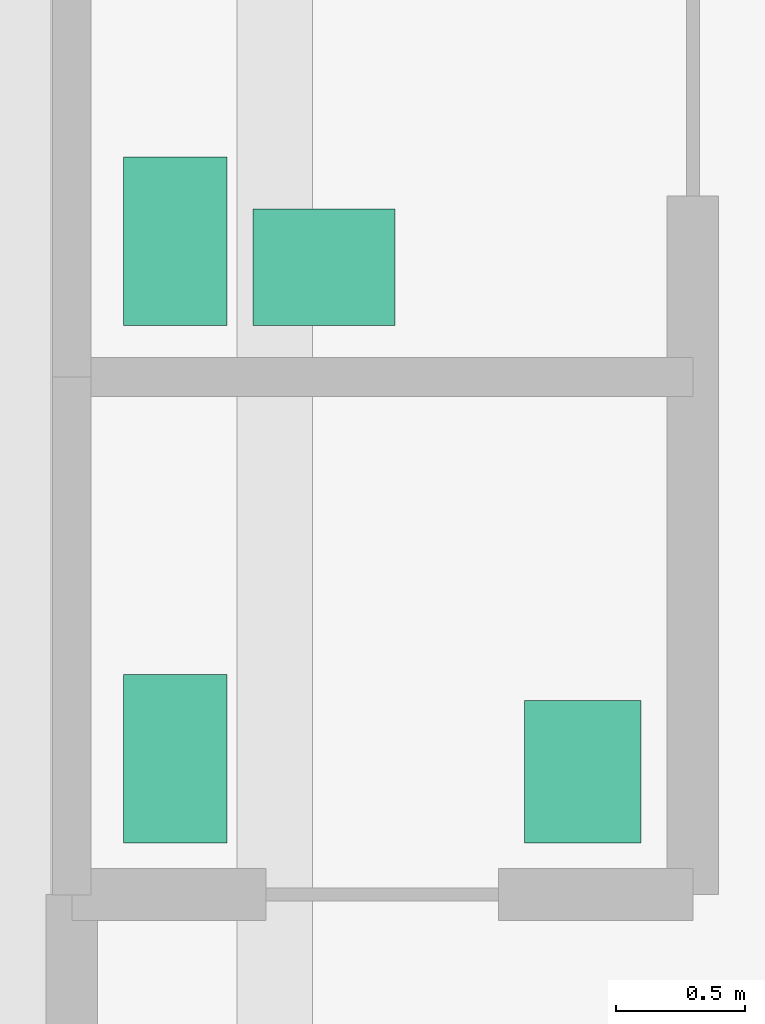
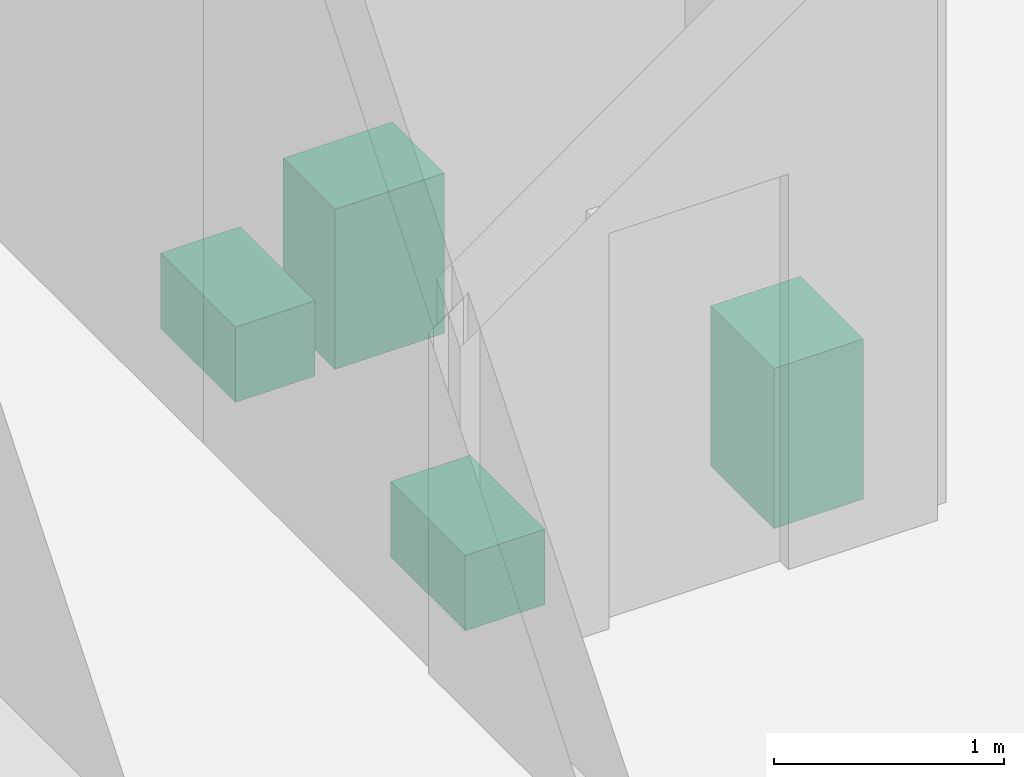
# One storey, part 10 of 10: 4 sanitary terminals.
"""IFC4 building model written with IfcOpenShell, lengths in metres."""

from ifc_helpers import new_model, si_unit, direction, frame, origin, origin_2d, place, context, subcontext, project, spatial, rectangle, extrude, material, type_object, element, save


model = new_model("IFC4")

# Units and contexts
model_context = context("Model", 3, precision=1e-05, world=origin(), true_north=direction((0.0, 1.0)))
body_context = subcontext(model_context, "Body", "Model", "MODEL_VIEW")
ifc_project = project(units=[si_unit("LENGTHUNIT", "METRE"), si_unit("AREAUNIT", "SQUARE_METRE"), si_unit("VOLUMEUNIT", "CUBIC_METRE"), si_unit("PLANEANGLEUNIT", "RADIAN"), si_unit("MASSUNIT", "GRAM", prefix="KILO")], contexts=[model_context])

# Site, building, storey
site_placement = place(None, origin())
site = spatial("IfcSite", under=ifc_project, at=site_placement, CompositionType="ELEMENT")
building_placement = place(site_placement, origin())
building = spatial("IfcBuilding", under=site, at=building_placement, Name="Mashrafa Tower", CompositionType="ELEMENT")
storey_placement = place(building_placement, frame((0.0, 0.0, 193.5)))
storey = spatial("IfcBuildingStorey", under=building, at=storey_placement, Name="L44", CompositionType="ELEMENT", Elevation=193.5)

# Sanitary terminals
ifc_material_1 = material(Name="Vitreous china")
sanitary_terminal_type_1 = type_object("IfcSanitaryTerminalType", Name="Toilet pan 400 x 650", PredefinedType="TOILETPAN", material=ifc_material_1)
for number, where, z_axis, x_axis, name in (
    (1, (13.449951171875, 3.125, 0.0), (0.0, 0.0, 1.0), (1.0, 0.0, 0.0), "Toilet pan Refuge WC L44"),
    (2, (13.449951171875, 5.125, 0.0), (0.0, 0.0, 1.0), (1.0, 0.0, 0.0), "Toilet pan Refuge Accessible WC L44"),
):
    element("IfcSanitaryTerminal", number, at=place(storey_placement, frame(where, z_axis=z_axis, x_axis=x_axis)), inside=storey, type_object=sanitary_terminal_type_1, Name=name, PredefinedType="TOILETPAN", context=body_context, shape_type="SweptSolid", body=[
        extrude(rectangle(XDim=0.39990234375, YDim=0.64990234375, at=origin_2d()), origin(), (0.0, 0.0, 1.0), 0.39990234375),
    ])
ifc_material_2 = material(Name="Vitreous china")
sanitary_terminal_type_2 = type_object("IfcSanitaryTerminalType", Name="Wash basin 550 x 450", PredefinedType="WASHHANDBASIN", material=ifc_material_2)
for number, where, z_axis, x_axis, name in (
    (3, (15.02490234375, 3.074951171875, 0.0), (0.0, 0.0, 1.0), (0.0, 1.0, 0.0), "Wash basin Refuge WC L44"),
    (4, (14.02490234375, 5.02490234375, 0.0), (0.0, 0.0, 1.0), (1.0, 0.0, 0.0), "Wash basin Refuge Accessible WC L44"),
):
    element("IfcSanitaryTerminal", number, at=place(storey_placement, frame(where, z_axis=z_axis, x_axis=x_axis)), inside=storey, type_object=sanitary_terminal_type_2, Name=name, PredefinedType="WASHHANDBASIN", context=body_context, shape_type="SweptSolid", body=[
        extrude(rectangle(XDim=0.550048828125, YDim=0.449951171875, at=origin_2d()), origin(), (0.0, 0.0, 1.0), 0.85009765625),
    ])

save(model, "model.ifc")
